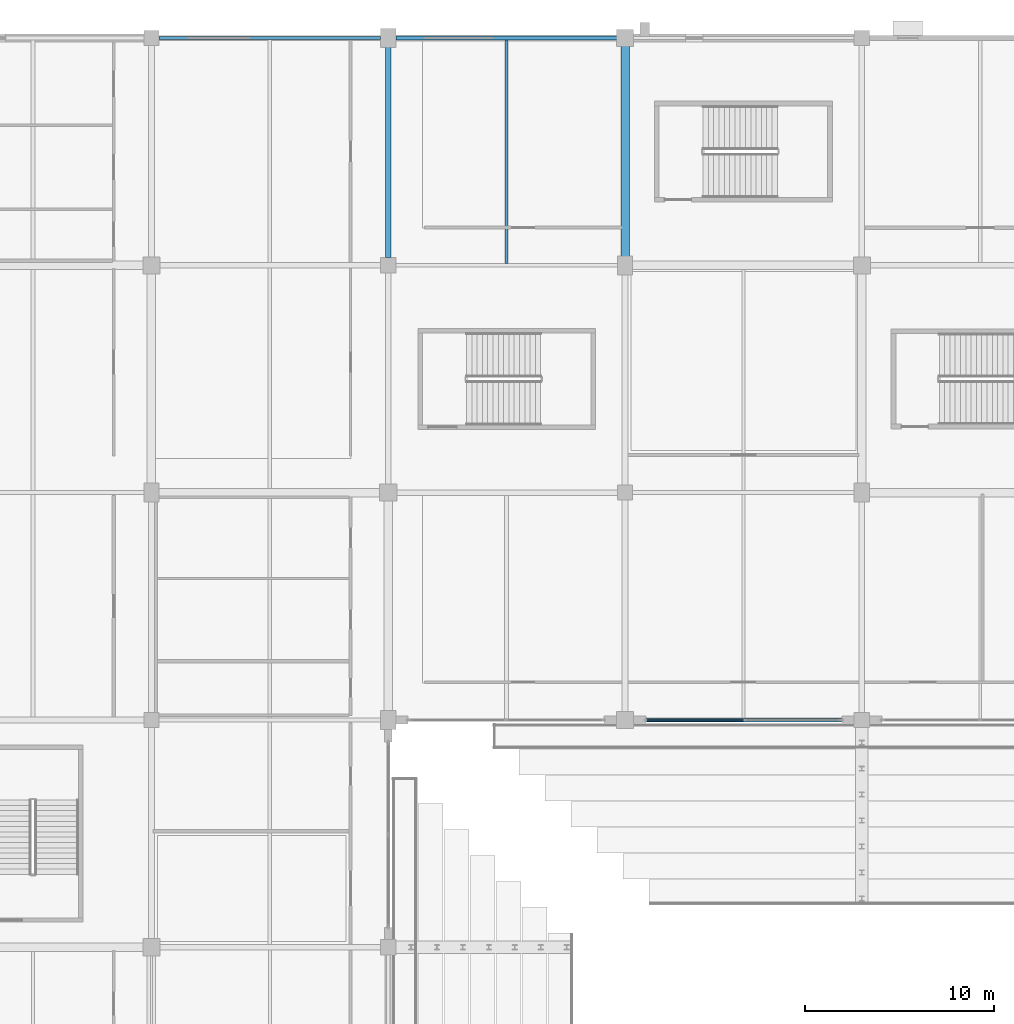
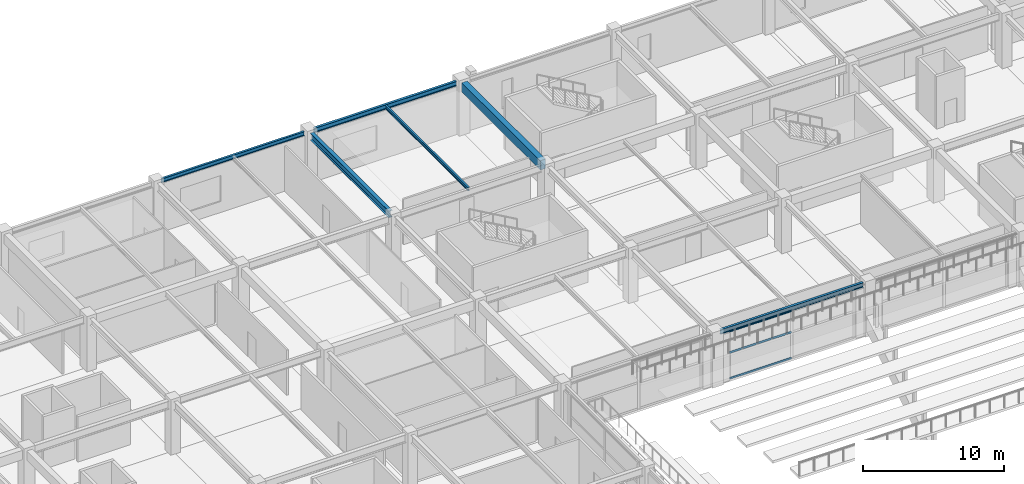
# One storey, part 54 of 134: 6 beams, 3 members, 1 element without a shape of its own.
"""IFC4 building model written with IfcOpenShell, lengths in metres."""

from ifc_helpers import new_model, si_unit, direction, frame, origin, origin_2d, place, context, subcontext, project, spatial, rectangle, i_section, extrude, material, layer, layer_set, material_profile, profile_set, type_object, element, aggregate, save


model = new_model("IFC4")

# Units and contexts
model_context = context("Model", 3, precision=1e-05, world=origin(), true_north=direction((0.0, 1.0)))
body_context = subcontext(model_context, "Body", "Model", "MODEL_VIEW")
ifc_project = project(units=[si_unit("LENGTHUNIT", "METRE"), si_unit("AREAUNIT", "SQUARE_METRE"), si_unit("VOLUMEUNIT", "CUBIC_METRE"), si_unit("PLANEANGLEUNIT", "RADIAN"), si_unit("MASSUNIT", "GRAM", prefix="KILO")], contexts=[model_context])

# Site, building, storey
site_placement = place(None, origin())
site = spatial("IfcSite", under=ifc_project, at=site_placement, CompositionType="ELEMENT")
building_placement = place(site_placement, origin())
building = spatial("IfcBuilding", under=site, at=building_placement, Name="Kazenohara Klinker Stadium", CompositionType="ELEMENT")
storey_placement = place(building_placement, frame((0.0, 0.0, 5.39990234375)))
storey = spatial("IfcBuildingStorey", under=building, at=storey_placement, Name="L01", CompositionType="ELEMENT", Elevation=5.39990234375)

# Beams
ifc_material_1 = material(Name="Steel S355", Category="steel")
ifc_material_profile_1 = material_profile(ifc_material_1, i_section(OverallWidth=0.14990234375, OverallDepth=0.300048828125, WebThickness=0.006591796875, FlangeThickness=0.009033203125, FilletRadius=0.012939453125, at=origin_2d()), Name="H-300x150x6.5x9")
ifc_profile_set_1 = profile_set([ifc_material_profile_1], Name="Steel S355")
beam_type_1 = type_object("IfcBeamType", Name="BM-JST05", PredefinedType="JOIST", material=ifc_profile_set_1)
beam_1_placement = place(storey_placement, frame((55.25, 156.10009765625, 4.400146484375), z_axis=(0.0, 1.0, 0.0), x_axis=(-1.0, 0.0, 0.0)))
element("IfcBeam", 1, at=beam_1_placement, inside=storey, type_object=beam_type_1, Name="Secondary floor joist SJ05 L01 5/P", PredefinedType="JOIST", context=body_context, shape_type="SweptSolid", body=[
    extrude(i_section(OverallWidth=0.14990234375, OverallDepth=0.300048828125, WebThickness=0.006591796875, FlangeThickness=0.009033203125, FilletRadius=0.012939453125, at=origin_2d()), origin(), (0.0, 0.0, 1.0), 11.7998046875),
])
ifc_material_2 = material(Name="Concrete C40/50", Category="concrete")
ifc_material_profile_2 = material_profile(ifc_material_2, rectangle(XDim=0.449951171875, YDim=0.800048828125, at=origin_2d()), Name="RC-BM-450x800")
ifc_profile_set_2 = profile_set([ifc_material_profile_2], Name="Concrete C40/50")
beam_type_2 = type_object("IfcBeamType", Name="BM-RC03", PredefinedType="BEAM", material=ifc_profile_set_2)
beam_2_placement = place(storey_placement, frame((61.5, 156.419921875, 4.150146484375), z_axis=(0.0, 1.0, 0.0), x_axis=(-1.0, 0.0, 0.0)))
element("IfcBeam", 2, at=beam_2_placement, inside=storey, type_object=beam_type_2, Name="Primary girder BG03 L01 6/P-Q", PredefinedType="BEAM", context=body_context, shape_type="SweptSolid", body=[
    extrude(rectangle(XDim=0.449951171875, YDim=0.800048828125, at=origin_2d()), origin(), (0.0, 0.0, 1.0), 11.16015625),
])
ifc_material_profile_3 = material_profile(ifc_material_1, i_section(OverallWidth=0.199951171875, OverallDepth=0.39990234375, WebThickness=0.008056640625, FlangeThickness=0.012939453125, FilletRadius=0.012939453125, at=origin_2d()), Name="H-400x200x8x13")
ifc_profile_set_3 = profile_set([ifc_material_profile_3], Name="Steel S355")
beam_type_3 = type_object("IfcBeamType", Name="BM-SPD01", PredefinedType="SPANDREL", material=ifc_profile_set_3)
for number, where, z_axis, x_axis, name in (
    (3, (49.39990234375, 168.0, 4.35009765625), (1.0, 0.0, 0.0), (0.0, 1.0, 0.0), "Primary girder SP01 L01 5-6/Q"),
    (4, (61.919921875, 132.0, 4.35009765625), (1.0, 0.0, 0.0), (0.0, 1.0, 0.0), "Primary girder SP01 L01 6-7/M"),
):
    element("IfcBeam", number, at=place(storey_placement, frame(where, z_axis=z_axis, x_axis=x_axis)), inside=storey, type_object=beam_type_3, Name=name, PredefinedType="SPANDREL", context=body_context, shape_type="SweptSolid", body=[
        extrude(i_section(OverallWidth=0.199951171875, OverallDepth=0.39990234375, WebThickness=0.008056640625, FlangeThickness=0.012939453125, FilletRadius=0.012939453125, at=origin_2d()), origin(), (0.0, 0.0, 1.0), 11.68017578125),
    ])
ifc_material_profile_4 = material_profile(ifc_material_1, i_section(OverallWidth=0.175048828125, OverallDepth=0.35009765625, WebThickness=0.007080078125, FlangeThickness=0.010986328125, FilletRadius=0.012939453125, at=origin_2d()), Name="H-350x175x7x11")
ifc_profile_set_4 = profile_set([ifc_material_profile_4], Name="Steel S355")
beam_type_4 = type_object("IfcBeamType", Name="BM-SPD02", PredefinedType="SPANDREL", material=ifc_profile_set_4)
beam_3_placement = place(storey_placement, frame((36.89990234375, 168.0, 4.375), z_axis=(1.0, 0.0, 0.0), x_axis=(0.0, 1.0, 0.0)))
element("IfcBeam", 5, at=beam_3_placement, inside=storey, type_object=beam_type_4, Name="Primary girder SP02 L01 4-5/Q", PredefinedType="SPANDREL", context=body_context, shape_type="SweptSolid", body=[
    extrude(i_section(OverallWidth=0.175048828125, OverallDepth=0.35009765625, WebThickness=0.007080078125, FlangeThickness=0.010986328125, FilletRadius=0.012939453125, at=origin_2d()), origin(), (0.0, 0.0, 1.0), 11.7001953125),
])
ifc_material_profile_5 = material_profile(ifc_material_1, i_section(OverallWidth=0.300048828125, OverallDepth=0.587890625, WebThickness=0.011962890625, FlangeThickness=0.02001953125, FilletRadius=0.02197265625, at=origin_2d()), Name="H-588x300x12x20")
ifc_profile_set_5 = profile_set([ifc_material_profile_5], Name="Steel S355")
beam_type_5 = type_object("IfcBeamType", Name="BM-ST05", PredefinedType="BEAM", material=ifc_profile_set_5)
beam_4_placement = place(storey_placement, frame((49.0, 156.39990234375, 4.256103515625), z_axis=(0.0, 1.0, 0.0), x_axis=(-1.0, 0.0, 0.0)))
element("IfcBeam", 6, at=beam_4_placement, inside=storey, type_object=beam_type_5, Name="Primary girder SB05 L01 5/P-Q", PredefinedType="BEAM", context=body_context, shape_type="SweptSolid", body=[
    extrude(i_section(OverallWidth=0.300048828125, OverallDepth=0.587890625, WebThickness=0.011962890625, FlangeThickness=0.02001953125, FilletRadius=0.02197265625, at=origin_2d()), origin(), (0.0, 0.0, 1.0), 11.18017578125),
])

# Curtain wall, members
ifc_material_3 = material(Name="Anodised aluminium and triple glazing", Category="aluminium")
ifc_layer = layer(ifc_material_3, 0.159912109375)
ifc_layer_set = layer_set([ifc_layer], Name="Anodised aluminium and triple glazing")
curtain_wall_type = type_object("IfcCurtainWallType", Name="CW-SYS-01", PredefinedType="USERDEFINED", material=ifc_layer_set)
curtain_wall_placement = place(storey_placement, origin())
curtain_wall = element("IfcCurtainWall", 7, at=curtain_wall_placement, inside=storey, type_object=curtain_wall_type, Name="Unitised facade curtain wall CW01 L01 X5-11", ObjectType="UNITISED CURTAIN WALL", PredefinedType="USERDEFINED")
ifc_material_4 = material(Name="Anodised aluminium 6063-T6", Category="aluminium")
ifc_material_profile_6 = material_profile(ifc_material_4, rectangle(XDim=0.074951171875, YDim=0.159912109375, at=origin_2d()), Name="ALU-TRN-75x160")
ifc_profile_set_6 = profile_set([ifc_material_profile_6], Name="Anodised aluminium 6063-T6")
member_type = type_object("IfcMemberType", Name="CW-TRN-160", PredefinedType="USERDEFINED", material=ifc_profile_set_6)
member_1_placement = place(storey_placement, frame((62.678955078125, 132.0, 0.03759765625), z_axis=(1.0, 0.0, 0.0), x_axis=(0.0, 1.0, 0.0)))
member_1 = element("IfcMember", 8, at=member_1_placement, type_object=member_type, Name="CW01 transom 1.1", ObjectType="TRANSOM", PredefinedType="USERDEFINED", context=body_context, shape_type="SweptSolid", body=[
    extrude(rectangle(XDim=0.074951171875, YDim=0.159912109375, at=origin_2d()), origin(), (0.0, 0.0, 1.0), 5.05859375),
])
member_2_placement = place(storey_placement, frame((62.678955078125, 132.0, 2.28271484375), z_axis=(1.0, 0.0, 0.0), x_axis=(0.0, 1.0, 0.0)))
member_2 = element("IfcMember", 9, at=member_2_placement, type_object=member_type, Name="CW01 transom 1.2", ObjectType="TRANSOM", PredefinedType="USERDEFINED", context=body_context, shape_type="SweptSolid", body=[
    extrude(rectangle(XDim=0.074951171875, YDim=0.159912109375, at=origin_2d()), origin(), (0.0, 0.0, 1.0), 5.05859375),
])
member_3_placement = place(storey_placement, frame((62.678955078125, 132.0, 4.112548828125), z_axis=(1.0, 0.0, 0.0), x_axis=(0.0, 1.0, 0.0)))
member_3 = element("IfcMember", 10, at=member_3_placement, type_object=member_type, Name="CW01 transom 1.3", ObjectType="TRANSOM", PredefinedType="USERDEFINED", context=body_context, shape_type="SweptSolid", body=[
    extrude(rectangle(XDim=0.074951171875, YDim=0.159912109375, at=origin_2d()), origin(), (0.0, 0.0, 1.0), 5.05859375),
])
aggregate(curtain_wall, [member_1, member_2, member_3])

save(model, "model.ifc")
